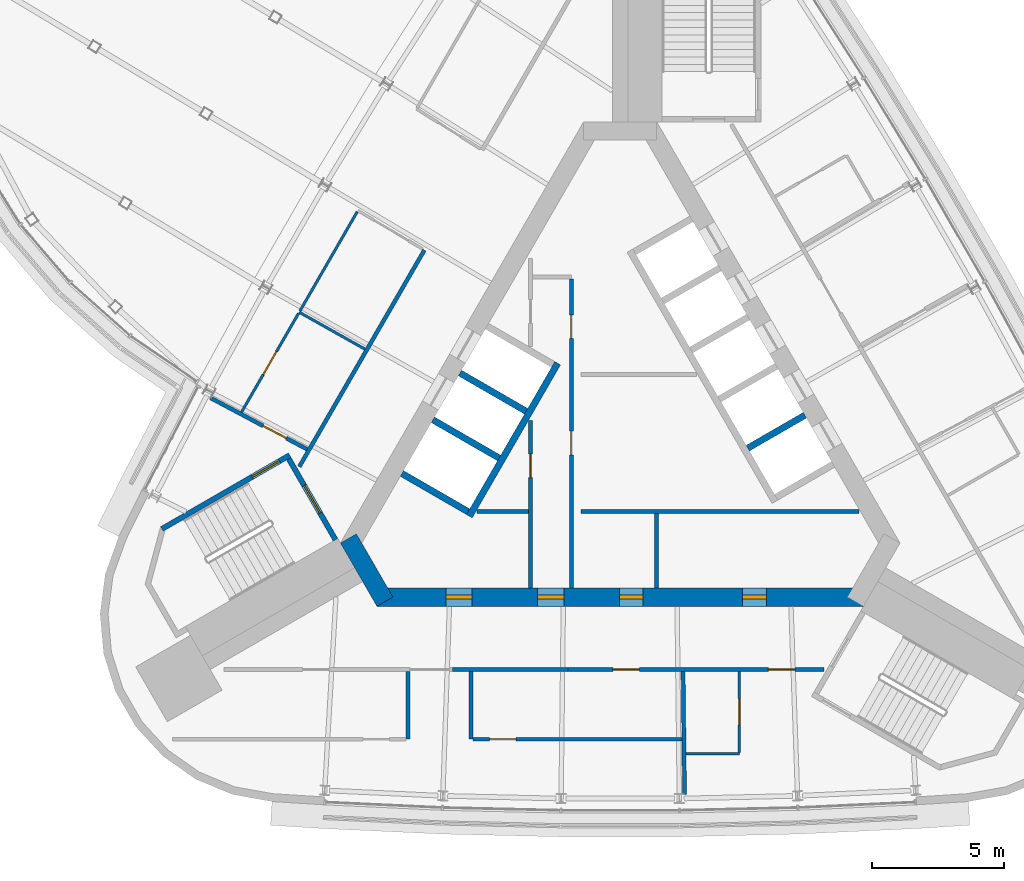
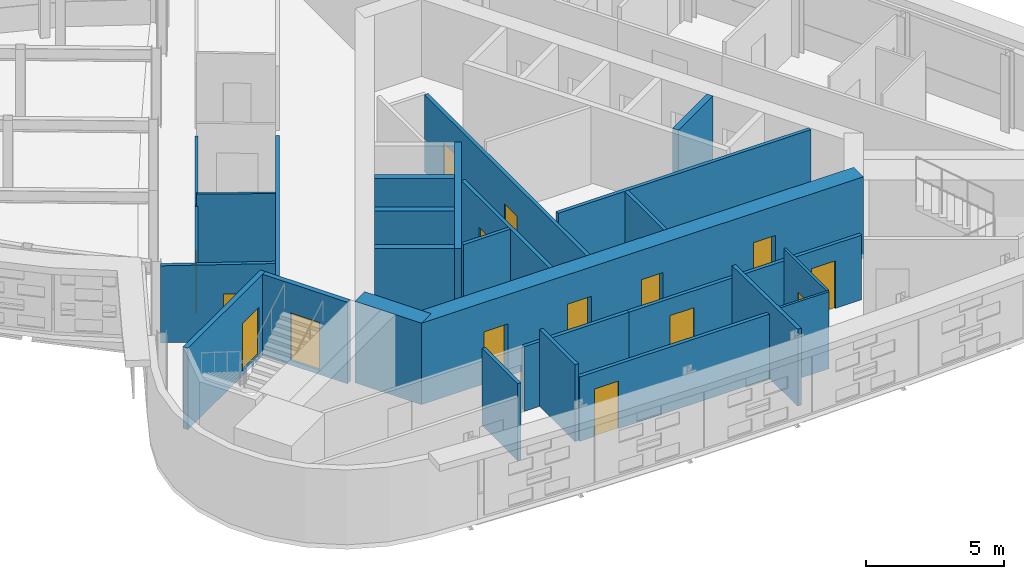
# One storey, part 9 of 13: 27 walls, 15 doors, 15 openings.
"""IFC4 building model written with IfcOpenShell, lengths in metres."""

from ifc_helpers import new_model, si_unit, direction, frame, frame_2d, origin, place, context, subcontext, project, spatial, rectangle, extrude, material, layer, layer_set, type_object, element, fill, save


model = new_model("IFC4")

# Units and contexts
model_context = context("Model", 3, precision=1e-05, world=origin(), true_north=direction((0.0, 1.0)))
body_context = subcontext(model_context, "Body", "Model", "MODEL_VIEW")
ifc_project = project(units=[si_unit("LENGTHUNIT", "METRE"), si_unit("AREAUNIT", "SQUARE_METRE"), si_unit("VOLUMEUNIT", "CUBIC_METRE"), si_unit("PLANEANGLEUNIT", "RADIAN"), si_unit("MASSUNIT", "GRAM", prefix="KILO")], contexts=[model_context])

# Site, building, storey
site_placement = place(None, origin())
site = spatial("IfcSite", under=ifc_project, at=site_placement, CompositionType="ELEMENT")
building_placement = place(site_placement, origin())
building = spatial("IfcBuilding", under=site, at=building_placement, Name="Noor Cloister Tower", CompositionType="ELEMENT")
storey_placement = place(building_placement, frame((0.0, 0.0, 270.60009765625)))
storey = spatial("IfcBuildingStorey", under=building, at=storey_placement, Name="L69", CompositionType="ELEMENT", Elevation=270.60009765625)

# Wall
ifc_material_1 = material(Name="Concrete C30/37", Category="concrete")
ifc_layer_1 = layer(ifc_material_1, 0.14990234375)
ifc_layer_set_1 = layer_set([ifc_layer_1], Name="Core partition 150 C30/37")
wall_type_1 = type_object("IfcWallType", Name="Core partition 150 C30/37", PredefinedType="PARTITIONING", material=ifc_layer_set_1)
wall_1_placement = place(storey_placement, frame((-5.430908203125, -3.328125, 0.0), z_axis=(0.0, 0.0, 1.0), x_axis=(1.0, 0.0, 0.0)))
element("IfcWall", 1, at=wall_1_placement, inside=storey, type_object=wall_type_1, Name="Core room partition L69 1", PredefinedType="PARTITIONING", context=body_context, shape_type="SweptSolid", body=[
    extrude(rectangle(XDim=1.9521484375, YDim=0.14990234375, at=frame_2d((0.97607421875, 0.0))), origin(), (0.0, 0.0, 1.0), 3.39990234375),
])

# Wall, opening, door
wall_2_placement = place(storey_placement, frame((-3.40380859375, 0.131103515625, 0.0), z_axis=(0.0, 0.0, 1.0), x_axis=(0.0, -1.0, 0.0)))
wall_2 = element("IfcWall", 2, at=wall_2_placement, inside=storey, type_object=wall_type_1, Name="Core room partition L69 2", PredefinedType="PARTITIONING", context=body_context, shape_type="SweptSolid", body=[
    extrude(rectangle(XDim=6.359375, YDim=0.14990234375, at=frame_2d((3.1796875, 0.0))), origin(), (0.0, 0.0, 1.0), 3.39990234375),
])
opening_1_placement = place(wall_2_placement, frame((1.280517578125, 0.0, 0.0)))
opening_1 = element("IfcOpeningElement", 3, at=opening_1_placement, cuts=wall_2, Name="Opening L69-905", PredefinedType="OPENING", context=body_context, shape_type="SweptSolid", body=[
    extrude(rectangle(XDim=0.89990234375, YDim=2.10009765625, at=frame_2d((0.449951171875, 1.050048828125))), frame((0.0, 0.0849609375, 0.0), z_axis=(0.0, -1.0, 0.0), x_axis=(1.0, 0.0, 0.0)), (0.0, 0.0, 1.0), 0.169921875),
])
ifc_material_2 = material(Name="Steel", Category="steel")
door_type_1 = type_object("IfcDoorType", Name="Core door 900 x 2100 FD120", OperationType="SINGLE_SWING_LEFT", PredefinedType="DOOR", material=ifc_material_2)
door_1_placement = place(opening_1_placement, origin())
door_1 = element("IfcDoor", 4, at=door_1_placement, inside=storey, type_object=door_type_1, Name="Core door 5 L69", OperationType="SINGLE_SWING_LEFT", OverallHeight=2.10009765625, OverallWidth=0.89990234375, PredefinedType="DOOR", context=body_context, shape_type="SweptSolid", body=[
    extrude(rectangle(XDim=0.89990234375, YDim=2.10009765625, at=frame_2d((0.449951171875, 1.050048828125))), frame((0.0, 0.02490234375, 0.0), z_axis=(0.0, -1.0, 0.0), x_axis=(1.0, 0.0, 0.0)), (0.0, 0.0, 1.0), 0.050048828125),
])
fill(opening_1, door_1)

# Wall, openings, doors
wall_3_placement = place(storey_placement, frame((-1.853759765625, 5.496826171875, 0.0), z_axis=(0.0, 0.0, 1.0), x_axis=(0.0, -1.0, 0.0)))
wall_3 = element("IfcWall", 5, at=wall_3_placement, inside=storey, type_object=wall_type_1, Name="Core room partition L69 5", PredefinedType="PARTITIONING", context=body_context, shape_type="SweptSolid", body=[
    extrude(rectangle(XDim=11.72509765625, YDim=0.14990234375, at=frame_2d((5.862548828125, 0.0))), origin(), (0.0, 0.0, 1.0), 3.39990234375),
])
opening_2_placement = place(wall_3_placement, frame((5.77490234375, 0.0, 0.0)))
opening_2 = element("IfcOpeningElement", 6, at=opening_2_placement, cuts=wall_3, Name="Opening L69-906", PredefinedType="OPENING", context=body_context, shape_type="SweptSolid", body=[
    extrude(rectangle(XDim=0.89990234375, YDim=2.10009765625, at=frame_2d((0.449951171875, 1.050048828125))), frame((0.0, 0.0849609375, 0.0), z_axis=(0.0, -1.0, 0.0), x_axis=(1.0, 0.0, 0.0)), (0.0, 0.0, 1.0), 0.169921875),
])
opening_3_placement = place(wall_3_placement, frame((1.363525390625, 0.0, 0.0)))
opening_3 = element("IfcOpeningElement", 7, at=opening_3_placement, cuts=wall_3, Name="Opening L69-908", PredefinedType="OPENING", context=body_context, shape_type="SweptSolid", body=[
    extrude(rectangle(XDim=0.89990234375, YDim=2.10009765625, at=frame_2d((0.449951171875, 1.050048828125))), frame((0.0, 0.0849609375, 0.0), z_axis=(0.0, -1.0, 0.0), x_axis=(1.0, 0.0, 0.0)), (0.0, 0.0, 1.0), 0.169921875),
])
door_2_placement = place(opening_3_placement, origin())
door_2 = element("IfcDoor", 8, at=door_2_placement, inside=storey, type_object=door_type_1, Name="Core door 8 L69", OperationType="SINGLE_SWING_RIGHT", OverallHeight=2.10009765625, OverallWidth=0.89990234375, PredefinedType="DOOR", context=body_context, shape_type="SweptSolid", body=[
    extrude(rectangle(XDim=0.89990234375, YDim=2.10009765625, at=frame_2d((0.449951171875, 1.050048828125))), frame((0.0, 0.02490234375, 0.0), z_axis=(0.0, -1.0, 0.0), x_axis=(1.0, 0.0, 0.0)), (0.0, 0.0, 1.0), 0.050048828125),
])
fill(opening_3, door_2)
ifc_material_3 = material(Name="Steel", Category="steel")
door_type_2 = type_object("IfcDoorType", Name="Core door 900 x 2100 FD60", OperationType="SINGLE_SWING_LEFT", PredefinedType="DOOR", material=ifc_material_3)
door_3_placement = place(opening_2_placement, origin())
door_3 = element("IfcDoor", 9, at=door_3_placement, inside=storey, type_object=door_type_2, Name="Core door 6 L69", OperationType="SINGLE_SWING_RIGHT", OverallHeight=2.10009765625, OverallWidth=0.89990234375, PredefinedType="DOOR", context=body_context, shape_type="SweptSolid", body=[
    extrude(rectangle(XDim=0.89990234375, YDim=2.10009765625, at=frame_2d((0.449951171875, 1.050048828125))), frame((0.0, 0.02490234375, 0.0), z_axis=(0.0, -1.0, 0.0), x_axis=(1.0, 0.0, 0.0)), (0.0, 0.0, 1.0), 0.050048828125),
])
fill(opening_2, door_3)

# Walls
wall_4_placement = place(storey_placement, frame((-1.478759765625, -3.328125, 0.0), z_axis=(0.0, 0.0, 1.0), x_axis=(1.0, 0.0, 0.0)))
element("IfcWall", 10, at=wall_4_placement, inside=storey, type_object=wall_type_1, Name="Core room partition L69 6", PredefinedType="PARTITIONING", context=body_context, shape_type="SweptSolid", body=[
    extrude(rectangle(XDim=10.546875, YDim=0.14990234375, at=frame_2d((5.2734375, 0.0))), origin(), (0.0, 0.0, 1.0), 3.39990234375),
])
wall_5_placement = place(storey_placement, frame((1.371337890625, -3.4033203125, 0.0), z_axis=(0.0, 0.0, 1.0), x_axis=(0.0, -1.0, 0.0)))
element("IfcWall", 11, at=wall_5_placement, inside=storey, type_object=wall_type_1, Name="Core room partition L69 8", PredefinedType="PARTITIONING", context=body_context, shape_type="SweptSolid", body=[
    extrude(rectangle(XDim=2.824951171875, YDim=0.14990234375, at=frame_2d((1.41259765625, 0.0))), origin(), (0.0, 0.0, 1.0), 3.39990234375),
])

# Wall, openings, doors
ifc_material_4 = material(Name="Concrete C60/75", Category="concrete")
ifc_layer_2 = layer(ifc_material_4, 0.699951171875)
ifc_layer_set_2 = layer_set([ifc_layer_2], Name="Core wall 700 C60/75")
wall_type_2 = type_object("IfcWallType", Name="Core wall 700 C60/75", PredefinedType="SHEAR", material=ifc_layer_set_2)
wall_6_placement = place(storey_placement, frame((-9.228759765625, -6.578125, -0.2001953125), z_axis=(0.0, 0.0, 1.0), x_axis=(1.0, 0.0, 0.0)))
wall_6 = element("IfcWall", 12, at=wall_6_placement, inside=storey, type_object=wall_type_2, Name="Core wall L69 1", PredefinedType="SHEAR", context=body_context, shape_type="SweptSolid", body=[
    extrude(rectangle(XDim=18.45751953125, YDim=0.699951171875, at=frame_2d((9.228759765625, 0.0))), origin(), (0.0, 0.0, 1.0), 3.60009765625),
])
opening_4_placement = place(wall_6_placement, frame((6.10009765625, 0.0, 0.199951171875)))
opening_4 = element("IfcOpeningElement", 13, at=opening_4_placement, cuts=wall_6, Name="Opening L69-901", PredefinedType="OPENING", context=body_context, shape_type="SweptSolid", body=[
    extrude(rectangle(XDim=1.0, YDim=2.10009765625, at=frame_2d((0.5, 1.050048828125))), frame((0.0, 0.35986328125, 0.0), z_axis=(0.0, -1.0, 0.0), x_axis=(1.0, 0.0, 0.0)), (0.0, 0.0, 1.0), 0.719970703125),
])
opening_5_placement = place(wall_6_placement, frame((2.614501953125, 0.0, 0.199951171875)))
opening_5 = element("IfcOpeningElement", 14, at=opening_5_placement, cuts=wall_6, Name="Opening L69-902", PredefinedType="OPENING", context=body_context, shape_type="SweptSolid", body=[
    extrude(rectangle(XDim=1.0, YDim=2.10009765625, at=frame_2d((0.5, 1.050048828125))), frame((0.0, 0.35986328125, 0.0), z_axis=(0.0, -1.0, 0.0), x_axis=(1.0, 0.0, 0.0)), (0.0, 0.0, 1.0), 0.719970703125),
])
opening_6_placement = place(wall_6_placement, frame((9.197509765625, 0.0, 0.199951171875)))
opening_6 = element("IfcOpeningElement", 15, at=opening_6_placement, cuts=wall_6, Name="Opening L69-903", PredefinedType="OPENING", context=body_context, shape_type="SweptSolid", body=[
    extrude(rectangle(XDim=0.89990234375, YDim=2.10009765625, at=frame_2d((0.449951171875, 1.050048828125))), frame((0.0, 0.35986328125, 0.0), z_axis=(0.0, -1.0, 0.0), x_axis=(1.0, 0.0, 0.0)), (0.0, 0.0, 1.0), 0.719970703125),
])
opening_7_placement = place(wall_6_placement, frame((13.876708984375, 0.0, 0.199951171875)))
opening_7 = element("IfcOpeningElement", 16, at=opening_7_placement, cuts=wall_6, Name="Opening L69-904", PredefinedType="OPENING", context=body_context, shape_type="SweptSolid", body=[
    extrude(rectangle(XDim=0.89990234375, YDim=2.10009765625, at=frame_2d((0.449951171875, 1.050048828125))), frame((0.0, 0.35986328125, 0.0), z_axis=(0.0, -1.0, 0.0), x_axis=(1.0, 0.0, 0.0)), (0.0, 0.0, 1.0), 0.719970703125),
])
ifc_material_5 = material(Name="Steel", Category="steel")
door_type_3 = type_object("IfcDoorType", Name="Core door 1000 x 2100 FD120", OperationType="SINGLE_SWING_LEFT", PredefinedType="DOOR", material=ifc_material_5)
door_4_placement = place(opening_4_placement, origin())
door_4 = element("IfcDoor", 17, at=door_4_placement, inside=storey, type_object=door_type_3, Name="Core door 1 L69", OperationType="SINGLE_SWING_LEFT", OverallHeight=2.10009765625, OverallWidth=1.0, PredefinedType="DOOR", context=body_context, shape_type="SweptSolid", body=[
    extrude(rectangle(XDim=1.0, YDim=2.10009765625, at=frame_2d((0.5, 1.050048828125))), frame((0.0, 0.074951171875, 0.0), z_axis=(0.0, -1.0, 0.0), x_axis=(1.0, 0.0, 0.0)), (0.0, 0.0, 1.0), 0.14990234375),
])
fill(opening_4, door_4)
ifc_material_6 = material(Name="Steel", Category="steel")
door_type_4 = type_object("IfcDoorType", Name="Core door 1000 x 2100 FD60", OperationType="SINGLE_SWING_LEFT", PredefinedType="DOOR", material=ifc_material_6)
door_5_placement = place(opening_5_placement, origin())
door_5 = element("IfcDoor", 18, at=door_5_placement, inside=storey, type_object=door_type_4, Name="Core door 2 L69", OperationType="SINGLE_SWING_RIGHT", OverallHeight=2.10009765625, OverallWidth=1.0, PredefinedType="DOOR", context=body_context, shape_type="SweptSolid", body=[
    extrude(rectangle(XDim=1.0, YDim=2.10009765625, at=frame_2d((0.5, 1.050048828125))), frame((0.0, 0.074951171875, 0.0), z_axis=(0.0, -1.0, 0.0), x_axis=(1.0, 0.0, 0.0)), (0.0, 0.0, 1.0), 0.14990234375),
])
fill(opening_5, door_5)
door_6_placement = place(opening_7_placement, origin())
door_6 = element("IfcDoor", 19, at=door_6_placement, inside=storey, type_object=door_type_1, Name="Core door 4 L69", OperationType="SINGLE_SWING_RIGHT", OverallHeight=2.10009765625, OverallWidth=0.89990234375, PredefinedType="DOOR", context=body_context, shape_type="SweptSolid", body=[
    extrude(rectangle(XDim=0.89990234375, YDim=2.10009765625, at=frame_2d((0.449951171875, 1.050048828125))), frame((0.0, 0.074951171875, 0.0), z_axis=(0.0, -1.0, 0.0), x_axis=(1.0, 0.0, 0.0)), (0.0, 0.0, 1.0), 0.14990234375),
])
fill(opening_7, door_6)
door_7_placement = place(opening_6_placement, origin())
door_7 = element("IfcDoor", 20, at=door_7_placement, inside=storey, type_object=door_type_2, Name="Core door 3 L69", OperationType="SINGLE_SWING_LEFT", OverallHeight=2.10009765625, OverallWidth=0.89990234375, PredefinedType="DOOR", context=body_context, shape_type="SweptSolid", body=[
    extrude(rectangle(XDim=0.89990234375, YDim=2.10009765625, at=frame_2d((0.449951171875, 1.050048828125))), frame((0.0, 0.074951171875, 0.0), z_axis=(0.0, -1.0, 0.0), x_axis=(1.0, 0.0, 0.0)), (0.0, 0.0, 1.0), 0.14990234375),
])
fill(opening_6, door_7)

# Walls
wall_7_placement = place(storey_placement, frame((-10.311279296875, -4.353271484375, -0.2001953125), z_axis=(0.0, 0.0, 1.0), x_axis=(0.500042739161, -0.866000726912, 0.0)))
element("IfcWall", 21, at=wall_7_placement, inside=storey, type_object=wall_type_2, Name="Core wall L69 6", PredefinedType="SHEAR", context=body_context, shape_type="SweptSolid", body=[
    extrude(rectangle(XDim=2.771240234375, YDim=0.699951171875, at=frame_2d((1.3857421875, 0.0))), origin(), (0.0, 0.0, 1.0), 3.60009765625),
])
ifc_material_7 = material(Name="Fire-rated gypsum board partition on steel studs, 150 mm", Category="steel")
ifc_layer_3 = layer(ifc_material_7, 0.14990234375)
ifc_layer_set_3 = layer_set([ifc_layer_3], Name="Fire lobby wall 150")
wall_type_3 = type_object("IfcWallType", Name="Fire lobby wall 150", PredefinedType="PARTITIONING", material=ifc_layer_set_3)
wall_8_placement = place(storey_placement, frame((-7.42919921875, 6.588623046875, 0.0), z_axis=(0.0, 0.0, 1.0), x_axis=(-0.499994197604, -0.866028753773, 0.0)))
element("IfcWall", 22, at=wall_8_placement, inside=storey, type_object=wall_type_3, Name="Wall L69-W22", PredefinedType="PARTITIONING", context=body_context, shape_type="SweptSolid", body=[
    extrude(rectangle(XDim=9.48779296875, YDim=0.14990234375, at=frame_2d((4.743896484375, 0.0))), origin(), (0.0, 0.0, 1.0), 2.851806640625),
])

# Wall, openings, doors
ifc_material_8 = material(Name="Gypsum board partition on steel studs, 150 mm", Category="steel")
ifc_layer_4 = layer(ifc_material_8, 0.14990234375)
ifc_layer_set_4 = layer_set([ifc_layer_4], Name="Flat wall 150")
wall_type_4 = type_object("IfcWallType", Name="Flat wall 150", PredefinedType="PARTITIONING", material=ifc_layer_set_4)
wall_9_placement = place(storey_placement, frame((-1.98681640625, -9.328125, 0.0), z_axis=(0.0, 0.0, 1.0), x_axis=(1.0, 0.0, 0.0)))
wall_9 = element("IfcWall", 23, at=wall_9_placement, inside=storey, type_object=wall_type_4, Name="Wall L69-W12", PredefinedType="PARTITIONING", context=body_context, shape_type="SweptSolid", body=[
    extrude(rectangle(XDim=9.71435546875, YDim=0.14990234375, at=frame_2d((4.857177734375, 0.0))), origin(), (0.0, 0.0, 1.0), 2.851806640625),
])
opening_8_placement = place(wall_9_placement, frame((1.7119140625, 0.0, 0.0)))
opening_8 = element("IfcOpeningElement", 24, at=opening_8_placement, cuts=wall_9, Name="Opening L69-011", PredefinedType="OPENING", context=body_context, shape_type="SweptSolid", body=[
    extrude(rectangle(XDim=1.0, YDim=2.10009765625, at=frame_2d((0.5, 1.050048828125))), frame((0.0, 0.0849609375, 0.0), z_axis=(0.0, -1.0, 0.0), x_axis=(1.0, 0.0, 0.0)), (0.0, 0.0, 1.0), 0.169921875),
])
opening_9_placement = place(wall_9_placement, frame((7.612548828125, 0.0, 0.0)))
opening_9 = element("IfcOpeningElement", 25, at=opening_9_placement, cuts=wall_9, Name="Opening L69-013", PredefinedType="OPENING", context=body_context, shape_type="SweptSolid", body=[
    extrude(rectangle(XDim=1.0, YDim=2.10009765625, at=frame_2d((0.5, 1.050048828125))), frame((0.0, 0.0849609375, 0.0), z_axis=(0.0, -1.0, 0.0), x_axis=(1.0, 0.0, 0.0)), (0.0, 0.0, 1.0), 0.169921875),
])
ifc_material_9 = material(Name="Timber door leaf with steel frame", Category="steel")
door_type_5 = type_object("IfcDoorType", Name="Flat entrance door 1000", OperationType="NOTDEFINED", PredefinedType="DOOR", material=ifc_material_9)
door_8_placement = place(opening_9_placement, origin())
door_8 = element("IfcDoor", 26, at=door_8_placement, inside=storey, type_object=door_type_5, Name="Door L69-013", OperationType="SINGLE_SWING_LEFT", OverallHeight=2.10009765625, OverallWidth=1.0, PredefinedType="DOOR", context=body_context, shape_type="SweptSolid", body=[
    extrude(rectangle(XDim=1.0, YDim=2.10009765625, at=frame_2d((0.5, 1.050048828125))), frame((0.0, 0.02490234375, 0.0), z_axis=(0.0, -1.0, 0.0), x_axis=(1.0, 0.0, 0.0)), (0.0, 0.0, 1.0), 0.050048828125),
])
fill(opening_9, door_8)
ifc_material_10 = material(Name="Timber door leaf with steel frame", Category="steel")
door_type_6 = type_object("IfcDoorType", Name="Interior door 1000 FD60", OperationType="NOTDEFINED", PredefinedType="DOOR", material=ifc_material_10)
door_9_placement = place(opening_8_placement, origin())
door_9 = element("IfcDoor", 27, at=door_9_placement, inside=storey, type_object=door_type_6, Name="Door L69-011", OperationType="SINGLE_SWING_LEFT", OverallHeight=2.10009765625, OverallWidth=1.0, PredefinedType="DOOR", context=body_context, shape_type="SweptSolid", body=[
    extrude(rectangle(XDim=1.0, YDim=2.10009765625, at=frame_2d((0.5, 1.050048828125))), frame((0.0, 0.02490234375, 0.0), z_axis=(0.0, -1.0, 0.0), x_axis=(1.0, 0.0, 0.0)), (0.0, 0.0, 1.0), 0.050048828125),
])
fill(opening_8, door_9)

# Walls
wall_10_placement = place(storey_placement, frame((-6.362548828125, -9.328125, 0.0), z_axis=(0.0, 0.0, 1.0), x_axis=(1.0, 0.0, 0.0)))
element("IfcWall", 28, at=wall_10_placement, inside=storey, type_object=wall_type_4, Name="Wall L69-W13", PredefinedType="PARTITIONING", context=body_context, shape_type="SweptSolid", body=[
    extrude(rectangle(XDim=4.375732421875, YDim=0.14990234375, at=frame_2d((2.18798828125, 0.0))), origin(), (0.0, 0.0, 1.0), 2.851806640625),
])
wall_11_placement = place(storey_placement, frame((2.44189453125, -14.06884765625, 0.0), z_axis=(0.0, 0.0, 1.0), x_axis=(-0.011616170678, 0.999932530013, 0.0)))
element("IfcWall", 29, at=wall_11_placement, inside=storey, type_object=wall_type_4, Name="Wall L69-W14", PredefinedType="PARTITIONING", context=body_context, shape_type="SweptSolid", body=[
    extrude(rectangle(XDim=4.665771484375, YDim=0.14990234375, at=frame_2d((2.3330078125, 0.0))), origin(), (0.0, 0.0, 1.0), 3.39990234375),
])
for number, where, z_axis, x_axis, name in (
    (30, (-8.054931640625, -9.4033203125, 0.0), (0.0, 0.0, 1.0), (0.0, -1.0, 0.0), "Wall L69-W15"),
    (31, (-5.65478515625, -9.4033203125, 0.0), (0.0, 0.0, 1.0), (0.0, -1.0, 0.0), "Wall L69-W16"),
):
    element("IfcWall", number, at=place(storey_placement, frame(where, z_axis=z_axis, x_axis=x_axis)), inside=storey, type_object=wall_type_4, Name=name, PredefinedType="PARTITIONING", context=body_context, shape_type="SweptSolid", body=[
        extrude(rectangle(XDim=2.56884765625, YDim=0.14990234375, at=frame_2d((1.284423828125, 0.0))), origin(), (0.0, 0.0, 1.0), 3.39990234375),
    ])

# Wall, opening, door
wall_12_placement = place(storey_placement, frame((-5.579833984375, -11.97216796875, 0.0), z_axis=(0.0, 0.0, 1.0), x_axis=(1.0, 0.0, 0.0)))
wall_12 = element("IfcWall", 32, at=wall_12_placement, inside=storey, type_object=wall_type_4, Name="Wall L69-W18", PredefinedType="PARTITIONING", context=body_context, shape_type="SweptSolid", body=[
    extrude(rectangle(XDim=7.92236328125, YDim=0.14990234375, at=frame_2d((3.961181640625, 0.0))), origin(), (0.0, 0.0, 1.0), 2.851806640625),
])
opening_10_placement = place(wall_12_placement, frame((0.625, 0.0, 0.0)))
opening_10 = element("IfcOpeningElement", 33, at=opening_10_placement, cuts=wall_12, Name="Opening L69-010", PredefinedType="OPENING", context=body_context, shape_type="SweptSolid", body=[
    extrude(rectangle(XDim=1.0, YDim=2.10009765625, at=frame_2d((0.5, 1.050048828125))), frame((0.0, 0.0849609375, 0.0), z_axis=(0.0, -1.0, 0.0), x_axis=(1.0, 0.0, 0.0)), (0.0, 0.0, 1.0), 0.169921875),
])
door_10_placement = place(opening_10_placement, origin())
door_10 = element("IfcDoor", 34, at=door_10_placement, inside=storey, type_object=door_type_6, Name="Door L69-010", OperationType="SINGLE_SWING_RIGHT", OverallHeight=2.10009765625, OverallWidth=1.0, PredefinedType="DOOR", context=body_context, shape_type="SweptSolid", body=[
    extrude(rectangle(XDim=1.0, YDim=2.10009765625, at=frame_2d((0.5, 1.050048828125))), frame((0.0, 0.02490234375, 0.0), z_axis=(0.0, -1.0, 0.0), x_axis=(1.0, 0.0, 0.0)), (0.0, 0.0, 1.0), 0.050048828125),
])
fill(opening_10, door_10)

wall_13_placement = place(storey_placement, frame((-15.552001953125, 0.983642578125, 0.0), z_axis=(0.0, 0.0, 1.0), x_axis=(0.882898276856, -0.469564300947, 0.0)))
wall_13 = element("IfcWall", 35, at=wall_13_placement, inside=storey, type_object=wall_type_4, Name="Wall L69-W23", PredefinedType="PARTITIONING", context=body_context, shape_type="SweptSolid", body=[
    extrude(rectangle(XDim=4.159423828125, YDim=0.14990234375, at=frame_2d((2.07958984375, 0.0))), origin(), (0.0, 0.0, 1.0), 3.39990234375),
])
opening_11_placement = place(wall_13_placement, frame((2.2666015625, 0.0, 0.0)))
opening_11 = element("IfcOpeningElement", 36, at=opening_11_placement, cuts=wall_13, Name="Opening L69-017", PredefinedType="OPENING", context=body_context, shape_type="SweptSolid", body=[
    extrude(rectangle(XDim=1.0, YDim=2.10009765625, at=frame_2d((0.5, 1.050048828125))), frame((0.0, 0.0849609375, 0.0), z_axis=(0.0, -1.0, 0.0), x_axis=(1.0, 0.0, 0.0)), (0.0, 0.0, 1.0), 0.169921875),
])
door_11_placement = place(opening_11_placement, origin())
door_11 = element("IfcDoor", 37, at=door_11_placement, inside=storey, type_object=door_type_6, Name="Door L69-017", OperationType="SINGLE_SWING_LEFT", OverallHeight=2.10009765625, OverallWidth=1.0, PredefinedType="DOOR", context=body_context, shape_type="SweptSolid", body=[
    extrude(rectangle(XDim=1.0, YDim=2.10009765625, at=frame_2d((0.5, 1.050048828125))), frame((0.0, 0.02490234375, 0.0), z_axis=(0.0, -1.0, 0.0), x_axis=(1.0, 0.0, 0.0)), (0.0, 0.0, 1.0), 0.050048828125),
])
fill(opening_11, door_11)

# Wall
ifc_material_11 = material(Name="Gypsum board partition on steel studs, 100 mm", Category="steel")
ifc_layer_5 = layer(ifc_material_11, 0.10009765625)
ifc_layer_set_5 = layer_set([ifc_layer_5], Name="Partition 100")
wall_type_5 = type_object("IfcWallType", Name="Partition 100", PredefinedType="PARTITIONING", material=ifc_layer_set_5)
wall_14_placement = place(storey_placement, frame((2.4990234375, -12.5283203125, 0.0), z_axis=(0.0, 0.0, 1.0), x_axis=(1.0, 0.0, 0.0)))
element("IfcWall", 38, at=wall_14_placement, inside=storey, type_object=wall_type_5, Name="Wall L69-W19", PredefinedType="PARTITIONING", context=body_context, shape_type="SweptSolid", body=[
    extrude(rectangle(XDim=2.02490234375, YDim=0.10009765625, at=frame_2d((1.012451171875, 0.0))), origin(), (0.0, 0.0, 1.0), 3.39990234375),
])

# Wall, opening, door
wall_15_placement = place(storey_placement, frame((4.52392578125, -12.478271484375, 0.0), z_axis=(0.0, 0.0, 1.0), x_axis=(0.0, 1.0, 0.0)))
wall_15 = element("IfcWall", 39, at=wall_15_placement, inside=storey, type_object=wall_type_5, Name="Wall L69-W20", PredefinedType="PARTITIONING", context=body_context, shape_type="SweptSolid", body=[
    extrude(rectangle(XDim=3.074951171875, YDim=0.10009765625, at=frame_2d((1.53759765625, 0.0))), origin(), (0.0, 0.0, 1.0), 3.39990234375),
])
opening_12_placement = place(wall_15_placement, frame((1.050048828125, 0.0, 0.0)))
opening_12 = element("IfcOpeningElement", 40, at=opening_12_placement, cuts=wall_15, Name="Opening L69-012", PredefinedType="OPENING", context=body_context, shape_type="SweptSolid", body=[
    extrude(rectangle(XDim=1.0, YDim=2.10009765625, at=frame_2d((0.5, 1.050048828125))), frame((0.0, 0.06005859375, 0.0), z_axis=(0.0, -1.0, 0.0), x_axis=(1.0, 0.0, 0.0)), (0.0, 0.0, 1.0), 0.1201171875),
])
ifc_material_12 = material(Name="Timber door leaf with steel frame", Category="steel")
door_type_7 = type_object("IfcDoorType", Name="Interior door 1000", OperationType="NOTDEFINED", PredefinedType="DOOR", material=ifc_material_12)
door_12_placement = place(opening_12_placement, origin())
door_12 = element("IfcDoor", 41, at=door_12_placement, inside=storey, type_object=door_type_7, Name="Door L69-012", OperationType="SINGLE_SWING_RIGHT", OverallHeight=2.10009765625, OverallWidth=1.0, PredefinedType="DOOR", context=body_context, shape_type="SweptSolid", body=[
    extrude(rectangle(XDim=1.0, YDim=2.10009765625, at=frame_2d((0.5, 1.050048828125))), frame((0.0, 0.02490234375, 0.0), z_axis=(0.0, -1.0, 0.0), x_axis=(1.0, 0.0, 0.0)), (0.0, 0.0, 1.0), 0.050048828125),
])
fill(opening_12, door_12)

# Walls
wall_16_placement = place(storey_placement, frame((-9.68603515625, 2.829833984375, 0.0), z_axis=(0.0, 0.0, 1.0), x_axis=(-0.871778429479, 0.489900367315, 0.0)))
element("IfcWall", 42, at=wall_16_placement, inside=storey, type_object=wall_type_5, Name="Wall L69-W26", PredefinedType="PARTITIONING", context=body_context, shape_type="SweptSolid", body=[
    extrude(rectangle(XDim=2.859130859375, YDim=0.10009765625, at=frame_2d((1.4296875, 0.0))), origin(), (0.0, 0.0, 1.0), 3.39990234375),
])
wall_17_placement = place(storey_placement, frame((-9.97802734375, 8.0419921875, 0.0), z_axis=(0.0, 0.0, 1.0), x_axis=(-0.500007404367, -0.866021128829, 0.0)))
element("IfcWall", 43, at=wall_17_placement, inside=storey, type_object=wall_type_5, Name="Wall L69-W28", PredefinedType="PARTITIONING", context=body_context, shape_type="SweptSolid", body=[
    extrude(rectangle(XDim=4.35107421875, YDim=0.10009765625, at=frame_2d((2.175537109375, 0.0))), origin(), (0.0, 0.0, 1.0), 2.851806640625),
])

# Wall, opening, door
wall_18_placement = place(storey_placement, frame((-12.20361328125, 4.187255859375, 0.0), z_axis=(0.0, 0.0, 1.0), x_axis=(-0.499973093216, -0.866040937866, 0.0)))
wall_18 = element("IfcWall", 44, at=wall_18_placement, inside=storey, type_object=wall_type_5, Name="Wall L69-W29", PredefinedType="PARTITIONING", context=body_context, shape_type="SweptSolid", body=[
    extrude(rectangle(XDim=4.328369140625, YDim=0.10009765625, at=frame_2d((2.1640625, 0.0))), origin(), (0.0, 0.0, 1.0), 2.851806640625),
])
opening_13_placement = place(wall_18_placement, frame((1.6767578125, 0.0, 0.0)))
opening_13 = element("IfcOpeningElement", 45, at=opening_13_placement, cuts=wall_18, Name="Opening L69-016", PredefinedType="OPENING", context=body_context, shape_type="SweptSolid", body=[
    extrude(rectangle(XDim=1.0, YDim=2.10009765625, at=frame_2d((0.5, 1.050048828125))), frame((0.0, 0.06005859375, 0.0), z_axis=(0.0, -1.0, 0.0), x_axis=(1.0, 0.0, 0.0)), (0.0, 0.0, 1.0), 0.1201171875),
])
door_13_placement = place(opening_13_placement, origin())
door_13 = element("IfcDoor", 46, at=door_13_placement, inside=storey, type_object=door_type_7, Name="Door L69-016", OperationType="SINGLE_SWING_RIGHT", OverallHeight=2.10009765625, OverallWidth=1.0, PredefinedType="DOOR", context=body_context, shape_type="SweptSolid", body=[
    extrude(rectangle(XDim=1.0, YDim=2.10009765625, at=frame_2d((0.5, 1.050048828125))), frame((0.0, 0.02490234375, 0.0), z_axis=(0.0, -1.0, 0.0), x_axis=(1.0, 0.0, 0.0)), (0.0, 0.0, 1.0), 0.050048828125),
])
fill(opening_13, door_13)

# Walls
ifc_material_13 = material(Name="Concrete C60/75", Category="concrete")
ifc_layer_6 = layer(ifc_material_13, 0.25)
ifc_layer_set_6 = layer_set([ifc_layer_6], Name="Shaft wall 250 C60/75")
wall_type_6 = type_object("IfcWallType", Name="Shaft wall 250 C60/75", PredefinedType="PARTITIONING", material=ifc_layer_set_6)
wall_19_placement = place(storey_placement, frame((7.00634765625, 0.3212890625, -0.2001953125), z_axis=(0.0, 0.0, 1.0), x_axis=(-0.866022959057, -0.500004234368, 0.0)))
element("IfcWall", 47, at=wall_19_placement, inside=storey, type_object=wall_type_6, Name="Lift shaft wall L69 NE 2", PredefinedType="PARTITIONING", context=body_context, shape_type="SweptSolid", body=[
    extrude(rectangle(XDim=2.5, YDim=0.25, at=frame_2d((1.25, 0.0))), origin(), (0.0, 0.0, 1.0), 3.60009765625),
])
for number, where, z_axis, x_axis, name in (
    (48, (-6.081298828125, 1.92333984375, -0.2001953125), (0.0, 0.0, 1.0), (0.866032775405, -0.499987231761, 0.0), "Lift shaft wall L69 NW 4"),
    (49, (-7.106201171875, 0.14794921875, -0.2001953125), (0.0, 0.0, 1.0), (0.866032775405, -0.499987231761, 0.0), "Lift shaft wall L69 NW 5"),
    (50, (-8.28125, -1.88720703125, -0.2001953125), (0.0, 0.0, 1.0), (0.866032775405, -0.499987231761, 0.0), "Lift shaft wall L69 NW 6"),
):
    element("IfcWall", number, at=place(storey_placement, frame(where, z_axis=z_axis, x_axis=x_axis)), inside=storey, type_object=wall_type_6, Name=name, PredefinedType="PARTITIONING", context=body_context, shape_type="SweptSolid", body=[
        extrude(rectangle(XDim=2.89990234375, YDim=0.25, at=frame_2d((1.449951171875, 0.0))), origin(), (0.0, 0.0, 1.0), 3.60009765625),
    ])
wall_20_placement = place(storey_placement, frame((-2.3740234375, 2.29443359375, 0.0), z_axis=(0.0, 0.0, 1.0), x_axis=(-0.500003174267, -0.866023571113, 0.0)))
element("IfcWall", 51, at=wall_20_placement, inside=storey, type_object=wall_type_6, Name="Lift shaft back wall L69 NW", PredefinedType="PARTITIONING", context=body_context, shape_type="SweptSolid", body=[
    extrude(rectangle(XDim=6.7001953125, YDim=0.25, at=frame_2d((3.35009765625, 0.0))), origin(), (0.0, 0.0, 1.0), 3.39990234375),
])

# Wall, opening, door
ifc_material_14 = material(Name="Concrete C60/75", Category="concrete")
ifc_layer_7 = layer(ifc_material_14, 0.199951171875)
ifc_layer_set_7 = layer_set([ifc_layer_7], Name="Stair enclosure wall 200 C60/75")
wall_type_7 = type_object("IfcWallType", Name="Stair enclosure wall 200 C60/75", PredefinedType="SHEAR", material=ifc_layer_set_7)
wall_21_placement = place(storey_placement, frame((-12.575927734375, -1.33056640625, -0.2001953125), z_axis=(0.0, 0.0, 1.0), x_axis=(0.499970499736, -0.8660424351, 0.0)))
wall_21 = element("IfcWall", 52, at=wall_21_placement, inside=storey, type_object=wall_type_7, Name="Stair enclosure wall ST2 L69 near end", PredefinedType="SHEAR", context=body_context, shape_type="SweptSolid", body=[
    extrude(rectangle(XDim=3.550048828125, YDim=0.199951171875, at=frame_2d((1.77490234375, 0.0))), origin(), (0.0, 0.0, 1.0), 3.60009765625),
])
opening_14_placement = place(wall_21_placement, frame((1.175048828125, 0.0, 0.199951171875)))
opening_14 = element("IfcOpeningElement", 53, at=opening_14_placement, cuts=wall_21, Name="Opening L69-ST2L", PredefinedType="OPENING", context=body_context, shape_type="SweptSolid", body=[
    extrude(rectangle(XDim=1.199951171875, YDim=2.10009765625, at=frame_2d((0.60009765625, 1.050048828125))), frame((0.0, 0.10986328125, 0.0), z_axis=(0.0, -1.0, 0.0), x_axis=(1.0, 0.0, 0.0)), (0.0, 0.0, 1.0), 0.219970703125),
])
ifc_material_15 = material(Name="Steel", Category="steel")
door_type_8 = type_object("IfcDoorType", Name="Stair door 1200 x 2100 FD120", OperationType="SINGLE_SWING_LEFT", PredefinedType="DOOR", material=ifc_material_15)
door_14_placement = place(opening_14_placement, origin())
door_14 = element("IfcDoor", 54, at=door_14_placement, inside=storey, type_object=door_type_8, Name="Stair door ST2 L69", OperationType="SINGLE_SWING_RIGHT", OverallHeight=2.10009765625, OverallWidth=1.199951171875, PredefinedType="DOOR", context=body_context, shape_type="SweptSolid", body=[
    extrude(rectangle(XDim=1.199951171875, YDim=2.10009765625, at=frame_2d((0.60009765625, 1.050048828125))), frame((0.0, 0.02490234375, 0.0), z_axis=(0.0, -1.0, 0.0), x_axis=(1.0, 0.0, 0.0)), (0.0, 0.0, 1.0), 0.050048828125),
])
fill(opening_14, door_14)

wall_22_placement = place(storey_placement, frame((-12.539306640625, -1.194091796875, -0.2001953125), z_axis=(0.0, 0.0, 1.0), x_axis=(-0.866045472092, -0.499965239061, 0.0)))
wall_22 = element("IfcWall", 55, at=wall_22_placement, inside=storey, type_object=wall_type_7, Name="Stair enclosure wall ST2 L69 outer side", PredefinedType="SHEAR", context=body_context, shape_type="SweptSolid", body=[
    extrude(rectangle(XDim=5.60009765625, YDim=0.199951171875, at=frame_2d((2.800048828125, 0.0))), origin(), (0.0, 0.0, 1.0), 3.60009765625),
])
opening_15_placement = place(wall_22_placement, frame((0.449951171875, 0.0, 0.199951171875)))
opening_15 = element("IfcOpeningElement", 56, at=opening_15_placement, cuts=wall_22, Name="Opening L69-ST2C", PredefinedType="OPENING", context=body_context, shape_type="SweptSolid", body=[
    extrude(rectangle(XDim=1.199951171875, YDim=2.10009765625, at=frame_2d((0.60009765625, 1.050048828125))), frame((0.0, 0.10986328125, 0.0), z_axis=(0.0, -1.0, 0.0), x_axis=(1.0, 0.0, 0.0)), (0.0, 0.0, 1.0), 0.219970703125),
])
door_15_placement = place(opening_15_placement, origin())
door_15 = element("IfcDoor", 57, at=door_15_placement, inside=storey, type_object=door_type_8, Name="Stair door ST2 L69", OperationType="SINGLE_SWING_LEFT", OverallHeight=2.10009765625, OverallWidth=1.199951171875, PredefinedType="DOOR", context=body_context, shape_type="SweptSolid", body=[
    extrude(rectangle(XDim=1.199951171875, YDim=2.10009765625, at=frame_2d((0.60009765625, 1.050048828125))), frame((0.0, 0.02490234375, 0.0), z_axis=(0.0, -1.0, 0.0), x_axis=(1.0, 0.0, 0.0)), (0.0, 0.0, 1.0), 0.050048828125),
])
fill(opening_15, door_15)

save(model, "model.ifc")
